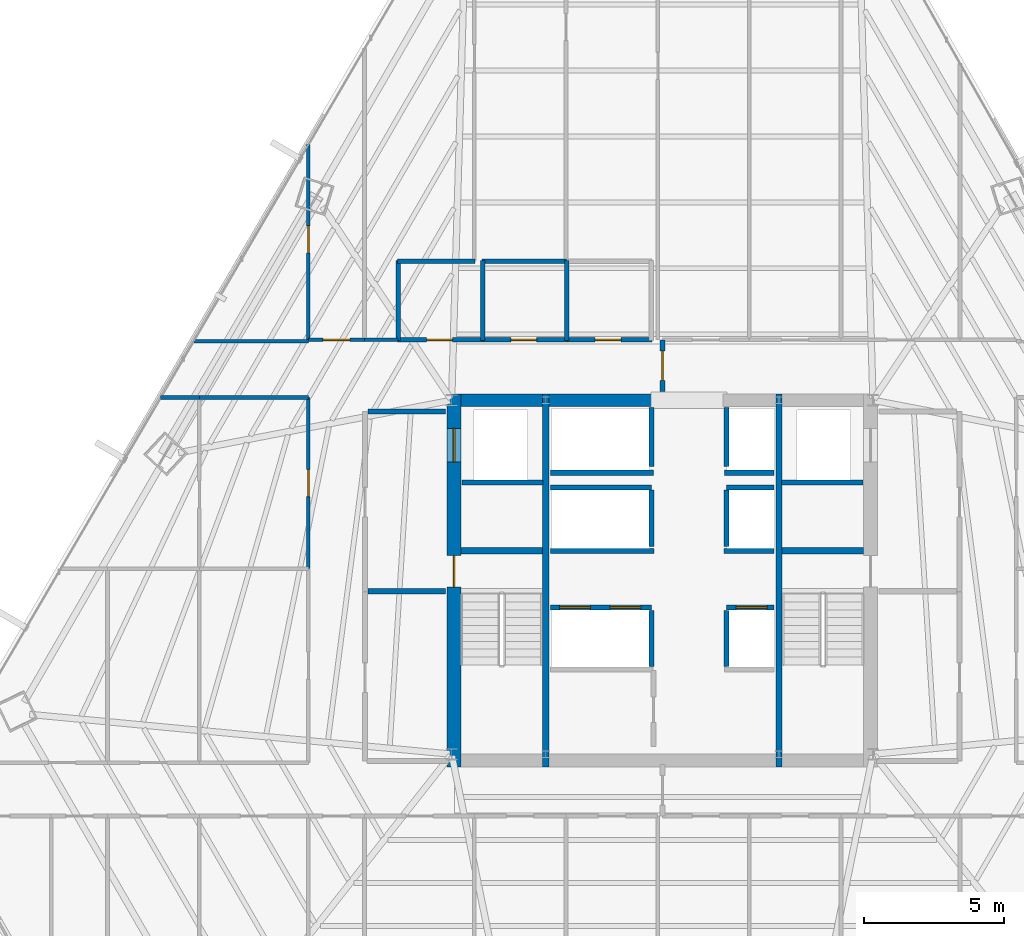
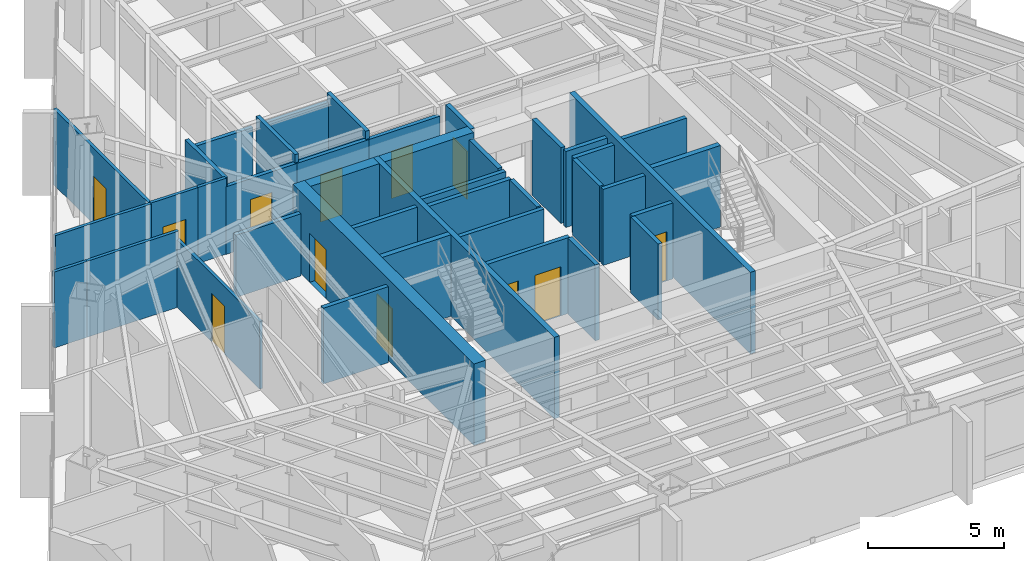
# One storey, part 32 of 37: 41 walls, 12 doors, 12 openings.
"""IFC4 building model written with IfcOpenShell, lengths in metres."""

from ifc_helpers import new_model, si_unit, direction, frame, frame_2d, origin, place, context, subcontext, project, spatial, rectangle, extrude, material, layer, layer_set, type_object, element, fill, save


model = new_model("IFC4")

# Units and contexts
model_context = context("Model", 3, precision=1e-05, world=origin(), true_north=direction((0.0, 1.0)))
body_context = subcontext(model_context, "Body", "Model", "MODEL_VIEW")
ifc_project = project(units=[si_unit("LENGTHUNIT", "METRE"), si_unit("AREAUNIT", "SQUARE_METRE"), si_unit("VOLUMEUNIT", "CUBIC_METRE"), si_unit("PLANEANGLEUNIT", "RADIAN"), si_unit("MASSUNIT", "GRAM", prefix="KILO")], contexts=[model_context])

# Site, building, storey
site_placement = place(None, origin())
site = spatial("IfcSite", under=ifc_project, at=site_placement, CompositionType="ELEMENT")
building_placement = place(site_placement, origin())
building = spatial("IfcBuilding", under=site, at=building_placement, Name="Caelisora Broadcast Tower", CompositionType="ELEMENT")
storey_placement = place(building_placement, frame((0.0, 0.0, 120.0)))
storey = spatial("IfcBuildingStorey", under=building, at=storey_placement, Name="L31", CompositionType="ELEMENT", Elevation=120.0)

# Wall, openings, doors
ifc_material_1 = material(Name="Concrete 50 MPa (AS 3600 S50)", Category="concrete")
ifc_layer_1 = layer(ifc_material_1, 0.5, Name="Concrete 50 MPa (AS 3600 S50)")
ifc_layer_set_1 = layer_set([ifc_layer_1], Name="Concrete 50 MPa (AS 3600 S50)")
wall_type_1 = type_object("IfcWallType", Name="CW2", PredefinedType="SHEAR", material=ifc_layer_set_1)
wall_1_placement = place(storey_placement, frame((30.590087890625, 16.949951171875, 0.0), z_axis=(0.0, 0.0, 1.0), x_axis=(0.0, 1.0, 0.0)))
wall_1 = element("IfcWall", 1, at=wall_1_placement, inside=storey, type_object=wall_type_1, Name="L31 core shear wall CW2", PredefinedType="SHEAR", context=body_context, shape_type="SweptSolid", body=[
    extrude(rectangle(XDim=13.275146484375, YDim=0.5, at=frame_2d((6.6376953125, 0.0))), origin(), (0.0, 0.0, 1.0), 3.64990234375),
])
opening_1_placement = place(wall_1_placement, frame((6.39990234375, 0.0, 0.0)))
opening_1 = element("IfcOpeningElement", 2, at=opening_1_placement, cuts=wall_1, Name="Opening FD04", PredefinedType="OPENING", context=body_context, shape_type="SweptSolid", body=[
    extrude(rectangle(XDim=1.1201171875, YDim=2.14990234375, at=frame_2d((0.56005859375, 1.074951171875))), frame((0.0, 0.261962890625, 0.0), z_axis=(0.0, -1.0, 0.0), x_axis=(1.0, 0.0, 0.0)), (0.0, 0.0, 1.0), 0.52392578125),
])
opening_2_placement = place(wall_1_placement, frame((10.85009765625, 0.0, 0.0)))
opening_2 = element("IfcOpeningElement", 3, at=opening_2_placement, cuts=wall_1, Name="Opening LD04", PredefinedType="OPENING", context=body_context, shape_type="SweptSolid", body=[
    extrude(rectangle(XDim=1.199951171875, YDim=2.199951171875, at=frame_2d((0.60009765625, 1.10009765625))), frame((0.0, 0.261962890625, 0.0), z_axis=(0.0, -1.0, 0.0), x_axis=(1.0, 0.0, 0.0)), (0.0, 0.0, 1.0), 0.52392578125),
])
ifc_material_2 = material(Name="Pressurised Fire-Isolated Stair Door", Category="steel")
door_type_1 = type_object("IfcDoorType", Name="FD04", OperationType="NOTDEFINED", PredefinedType="DOOR", material=ifc_material_2)
door_1_placement = place(opening_1_placement, origin())
door_1 = element("IfcDoor", 4, at=door_1_placement, inside=storey, type_object=door_type_1, Name="L31 door FD04 (L31-DR-ST1)", OperationType="SINGLE_SWING_LEFT", OverallHeight=2.14990234375, OverallWidth=1.1201171875, PredefinedType="DOOR", context=body_context, shape_type="SweptSolid", body=[
    extrude(rectangle(XDim=1.1201171875, YDim=2.14990234375, at=frame_2d((0.56005859375, 1.074951171875))), frame((0.0, 0.02490234375, 0.0), z_axis=(0.0, -1.0, 0.0), x_axis=(1.0, 0.0, 0.0)), (0.0, 0.0, 1.0), 0.050048828125),
])
fill(opening_1, door_1)
ifc_material_3 = material(Name="Emergency Firefighting Lift Sliding Landing Door", Category="steel")
door_type_2 = type_object("IfcDoorType", Name="LD04", OperationType="NOTDEFINED", PredefinedType="DOOR", material=ifc_material_3)
door_2_placement = place(opening_2_placement, origin())
door_2 = element("IfcDoor", 5, at=door_2_placement, inside=storey, type_object=door_type_2, Name="L31 door LD04 (L31-LD-FFL1)", OperationType="SLIDING_TO_LEFT", OverallHeight=2.199951171875, OverallWidth=1.199951171875, PredefinedType="DOOR", context=body_context, shape_type="SweptSolid", body=[
    extrude(rectangle(XDim=1.199951171875, YDim=2.199951171875, at=frame_2d((0.60009765625, 1.10009765625))), frame((0.0, 0.02490234375, 0.0), z_axis=(0.0, -1.0, 0.0), x_axis=(1.0, 0.0, 0.0)), (0.0, 0.0, 1.0), 0.050048828125),
])
fill(opening_2, door_2)

# Walls
ifc_layer_2 = layer(ifc_material_1, 0.449951171875, Name="Concrete 50 MPa (AS 3600 S50)")
ifc_layer_set_2 = layer_set([ifc_layer_2], Name="Concrete 50 MPa (AS 3600 S50)")
wall_type_2 = type_object("IfcWallType", Name="CW5", PredefinedType="SHEAR", material=ifc_layer_set_2)
wall_2_placement = place(storey_placement, frame((30.840087890625, 30.0, 0.0), z_axis=(0.0, 0.0, 1.0), x_axis=(1.0, 0.0, 0.0)))
element("IfcWall", 6, at=wall_2_placement, inside=storey, type_object=wall_type_2, Name="L31 core shear wall CW5", PredefinedType="SHEAR", context=body_context, shape_type="SweptSolid", body=[
    extrude(rectangle(XDim=2.89990234375, YDim=0.449951171875, at=frame_2d((1.449951171875, 0.0))), origin(), (0.0, 0.0, 1.0), 3.64990234375),
])
wall_3_placement = place(storey_placement, frame((33.9599609375, 30.0, 0.0), z_axis=(0.0, 0.0, 1.0), x_axis=(1.0, 0.0, 0.0)))
element("IfcWall", 7, at=wall_3_placement, inside=storey, type_object=wall_type_2, Name="L31 core shear wall CW5", PredefinedType="SHEAR", context=body_context, shape_type="SweptSolid", body=[
    extrude(rectangle(XDim=3.780029296875, YDim=0.449951171875, at=frame_2d((1.89013671875, 0.0))), origin(), (0.0, 0.0, 1.0), 3.64990234375),
])
ifc_layer_3 = layer(ifc_material_1, 0.219970703125, Name="Concrete 50 MPa (AS 3600 S50)")
ifc_layer_set_3 = layer_set([ifc_layer_3], Name="Concrete 50 MPa (AS 3600 S50)")
wall_type_3 = type_object("IfcWallType", Name="CW7", PredefinedType="SHEAR", material=ifc_layer_set_3)
for number, where, z_axis, x_axis, name in (
    (8, (33.85009765625, 16.949951171875, 0.0), (0.0, 0.0, 1.0), (0.0, 1.0, 0.0), "L31 core shear wall CW7"),
    (9, (42.14990234375, 16.949951171875, 0.0), (0.0, 0.0, 1.0), (0.0, 1.0, 0.0), "L31 core shear wall CW7"),
):
    element("IfcWall", number, at=place(storey_placement, frame(where, z_axis=z_axis, x_axis=x_axis)), inside=storey, type_object=wall_type_3, Name=name, PredefinedType="SHEAR", context=body_context, shape_type="SweptSolid", body=[
        extrude(rectangle(XDim=13.275146484375, YDim=0.219970703125, at=frame_2d((6.6376953125, 0.0))), origin(), (0.0, 0.0, 1.0), 3.64990234375),
    ])
for number, where, z_axis, x_axis, name in (
    (10, (30.840087890625, 24.639892578125, 0.0), (0.0, 0.0, 1.0), (1.0, 0.0, 0.0), "L31 core shear wall CW7"),
    (11, (42.260009765625, 24.639892578125, 0.0), (0.0, 0.0, 1.0), (1.0, 0.0, 0.0), "L31 core shear wall CW7"),
):
    element("IfcWall", number, at=place(storey_placement, frame(where, z_axis=z_axis, x_axis=x_axis)), inside=storey, type_object=wall_type_3, Name=name, PredefinedType="SHEAR", context=body_context, shape_type="SweptSolid", body=[
        extrude(rectangle(XDim=2.89990234375, YDim=0.219970703125, at=frame_2d((1.449951171875, 0.0))), origin(), (0.0, 0.0, 1.0), 3.64990234375),
    ])

# Wall, openings, doors
ifc_material_4 = material(Name="Fire-Rated Gypsum Shaft and Compartment Wall", Category="gypsum")
ifc_layer_4 = layer(ifc_material_4, 0.179931640625, Name="Fire-Rated Gypsum Shaft and Compartment Wall")
ifc_layer_set_4 = layer_set([ifc_layer_4], Name="Fire-Rated Gypsum Shaft and Compartment Wall")
wall_type_4 = type_object("IfcWallType", Name="PW2", PredefinedType="PARTITIONING", material=ifc_layer_set_4)
wall_4_placement = place(storey_placement, frame((34.02001953125, 22.6201171875, 0.0), z_axis=(0.0, 0.0, 1.0), x_axis=(1.0, 0.0, 0.0)))
wall_4 = element("IfcWall", 12, at=wall_4_placement, inside=storey, type_object=wall_type_4, Name="L31 fire compartment wall PW2", PredefinedType="PARTITIONING", context=body_context, shape_type="SweptSolid", body=[
    extrude(rectangle(XDim=3.60009765625, YDim=0.179931640625, at=frame_2d((1.800048828125, 0.0))), origin(), (0.0, 0.0, 1.0), 3.39990234375),
])
opening_3_placement = place(wall_4_placement, frame((0.320068359375, 0.0, 0.0)))
opening_3 = element("IfcOpeningElement", 13, at=opening_3_placement, cuts=wall_4, Name="Opening LD01", PredefinedType="OPENING", context=body_context, shape_type="SweptSolid", body=[
    extrude(rectangle(XDim=1.10009765625, YDim=2.199951171875, at=frame_2d((0.550048828125, 1.10009765625))), frame((0.0, 0.10205078125, 0.0), z_axis=(0.0, -1.0, 0.0), x_axis=(1.0, 0.0, 0.0)), (0.0, 0.0, 1.0), 0.203857421875),
])
opening_4_placement = place(wall_4_placement, frame((2.1201171875, 0.0, 0.0)))
opening_4 = element("IfcOpeningElement", 14, at=opening_4_placement, cuts=wall_4, Name="Opening LD01", PredefinedType="OPENING", context=body_context, shape_type="SweptSolid", body=[
    extrude(rectangle(XDim=1.10009765625, YDim=2.199951171875, at=frame_2d((0.550048828125, 1.10009765625))), frame((0.0, 0.10205078125, 0.0), z_axis=(0.0, -1.0, 0.0), x_axis=(1.0, 0.0, 0.0)), (0.0, 0.0, 1.0), 0.203857421875),
])
ifc_material_5 = material(Name="Stainless Steel Centre-Parting Lift Landing Door", Category="steel")
door_type_3 = type_object("IfcDoorType", Name="LD01", OperationType="NOTDEFINED", PredefinedType="DOOR", material=ifc_material_5)
door_3_placement = place(opening_3_placement, origin())
door_3 = element("IfcDoor", 15, at=door_3_placement, inside=storey, type_object=door_type_3, Name="L31 door LD01 (L31-LD-PLL1)", OperationType="SLIDING_TO_LEFT", OverallHeight=2.199951171875, OverallWidth=1.10009765625, PredefinedType="DOOR", context=body_context, shape_type="SweptSolid", body=[
    extrude(rectangle(XDim=1.10009765625, YDim=2.199951171875, at=frame_2d((0.550048828125, 1.10009765625))), frame((0.0, 0.02490234375, 0.0), z_axis=(0.0, -1.0, 0.0), x_axis=(1.0, 0.0, 0.0)), (0.0, 0.0, 1.0), 0.050048828125),
])
fill(opening_3, door_3)
door_4_placement = place(opening_4_placement, origin())
door_4 = element("IfcDoor", 16, at=door_4_placement, inside=storey, type_object=door_type_3, Name="L31 door LD01 (L31-LD-PLL2)", OperationType="SLIDING_TO_RIGHT", OverallHeight=2.199951171875, OverallWidth=1.10009765625, PredefinedType="DOOR", context=body_context, shape_type="SweptSolid", body=[
    extrude(rectangle(XDim=1.10009765625, YDim=2.199951171875, at=frame_2d((0.550048828125, 1.10009765625))), frame((0.0, 0.02490234375, 0.0), z_axis=(0.0, -1.0, 0.0), x_axis=(1.0, 0.0, 0.0)), (0.0, 0.0, 1.0), 0.050048828125),
])
fill(opening_4, door_4)

# Wall, opening, door
wall_5_placement = place(storey_placement, frame((40.280029296875, 22.6201171875, 0.0), z_axis=(0.0, 0.0, 1.0), x_axis=(1.0, 0.0, 0.0)))
wall_5 = element("IfcWall", 17, at=wall_5_placement, inside=storey, type_object=wall_type_4, Name="L31 fire compartment wall PW2", PredefinedType="PARTITIONING", context=body_context, shape_type="SweptSolid", body=[
    extrude(rectangle(XDim=1.699951171875, YDim=0.179931640625, at=frame_2d((0.85009765625, 0.0))), origin(), (0.0, 0.0, 1.0), 3.39990234375),
])
opening_5_placement = place(wall_5_placement, frame((0.35009765625, 0.0, 0.0)))
opening_5 = element("IfcOpeningElement", 18, at=opening_5_placement, cuts=wall_5, Name="Opening LD01", PredefinedType="OPENING", context=body_context, shape_type="SweptSolid", body=[
    extrude(rectangle(XDim=1.10009765625, YDim=2.199951171875, at=frame_2d((0.550048828125, 1.10009765625))), frame((0.0, 0.10205078125, 0.0), z_axis=(0.0, -1.0, 0.0), x_axis=(1.0, 0.0, 0.0)), (0.0, 0.0, 1.0), 0.203857421875),
])
door_5_placement = place(opening_5_placement, origin())
door_5 = element("IfcDoor", 19, at=door_5_placement, inside=storey, type_object=door_type_3, Name="L31 door LD01 (L31-LD-PLL3)", OperationType="SLIDING_TO_LEFT", OverallHeight=2.199951171875, OverallWidth=1.10009765625, PredefinedType="DOOR", context=body_context, shape_type="SweptSolid", body=[
    extrude(rectangle(XDim=1.10009765625, YDim=2.199951171875, at=frame_2d((0.550048828125, 1.10009765625))), frame((0.0, 0.02490234375, 0.0), z_axis=(0.0, -1.0, 0.0), x_axis=(1.0, 0.0, 0.0)), (0.0, 0.0, 1.0), 0.050048828125),
])
fill(opening_5, door_5)

# Walls
for number, where, z_axis, x_axis, name in (
    (20, (37.6201171875, 20.52001953125, 0.0), (0.0, 0.0, 1.0), (0.0, 1.0, 0.0), "L31 fire compartment wall PW2"),
    (21, (40.280029296875, 20.52001953125, 0.0), (0.0, 0.0, 1.0), (0.0, 1.0, 0.0), "L31 fire compartment wall PW2"),
):
    element("IfcWall", number, at=place(storey_placement, frame(where, z_axis=z_axis, x_axis=x_axis)), inside=storey, type_object=wall_type_4, Name=name, PredefinedType="PARTITIONING", context=body_context, shape_type="SweptSolid", body=[
        extrude(rectangle(XDim=2.0, YDim=0.179931640625, at=frame_2d((1.0, 0.0))), origin(), (0.0, 0.0, 1.0), 3.39990234375),
    ])
wall_6_placement = place(storey_placement, frame((34.02001953125, 26.89990234375, 0.0), z_axis=(0.0, 0.0, 1.0), x_axis=(1.0, 0.0, 0.0)))
element("IfcWall", 22, at=wall_6_placement, inside=storey, type_object=wall_type_4, Name="L31 fire compartment wall PW2", PredefinedType="PARTITIONING", context=body_context, shape_type="SweptSolid", body=[
    extrude(rectangle(XDim=3.60009765625, YDim=0.179931640625, at=frame_2d((1.800048828125, 0.0))), origin(), (0.0, 0.0, 1.0), 3.39990234375),
])
wall_7_placement = place(storey_placement, frame((40.280029296875, 26.89990234375, 0.0), z_axis=(0.0, 0.0, 1.0), x_axis=(1.0, 0.0, 0.0)))
element("IfcWall", 23, at=wall_7_placement, inside=storey, type_object=wall_type_4, Name="L31 fire compartment wall PW2", PredefinedType="PARTITIONING", context=body_context, shape_type="SweptSolid", body=[
    extrude(rectangle(XDim=1.699951171875, YDim=0.179931640625, at=frame_2d((0.85009765625, 0.0))), origin(), (0.0, 0.0, 1.0), 3.39990234375),
])
for number, where, z_axis, x_axis, name in (
    (24, (37.6201171875, 24.800048828125, 0.0), (0.0, 0.0, 1.0), (0.0, 1.0, 0.0), "L31 fire compartment wall PW2"),
    (25, (40.280029296875, 24.800048828125, 0.0), (0.0, 0.0, 1.0), (0.0, 1.0, 0.0), "L31 fire compartment wall PW2"),
):
    element("IfcWall", number, at=place(storey_placement, frame(where, z_axis=z_axis, x_axis=x_axis)), inside=storey, type_object=wall_type_4, Name=name, PredefinedType="PARTITIONING", context=body_context, shape_type="SweptSolid", body=[
        extrude(rectangle(XDim=2.0, YDim=0.179931640625, at=frame_2d((1.0, 0.0))), origin(), (0.0, 0.0, 1.0), 3.39990234375),
    ])
wall_8_placement = place(storey_placement, frame((34.02001953125, 24.639892578125, 0.0), z_axis=(0.0, 0.0, 1.0), x_axis=(1.0, 0.0, 0.0)))
element("IfcWall", 26, at=wall_8_placement, inside=storey, type_object=wall_type_4, Name="L31 fire compartment wall PW2", PredefinedType="PARTITIONING", context=body_context, shape_type="SweptSolid", body=[
    extrude(rectangle(XDim=3.679931640625, YDim=0.179931640625, at=frame_2d((1.83984375, 0.0))), origin(), (0.0, 0.0, 1.0), 3.39990234375),
])
wall_9_placement = place(storey_placement, frame((40.199951171875, 24.639892578125, 0.0), z_axis=(0.0, 0.0, 1.0), x_axis=(1.0, 0.0, 0.0)))
element("IfcWall", 27, at=wall_9_placement, inside=storey, type_object=wall_type_4, Name="L31 fire compartment wall PW2", PredefinedType="PARTITIONING", context=body_context, shape_type="SweptSolid", body=[
    extrude(rectangle(XDim=1.780029296875, YDim=0.179931640625, at=frame_2d((0.89013671875, 0.0))), origin(), (0.0, 0.0, 1.0), 3.39990234375),
])
wall_10_placement = place(storey_placement, frame((34.02001953125, 27.419921875, 0.0), z_axis=(0.0, 0.0, 1.0), x_axis=(1.0, 0.0, 0.0)))
element("IfcWall", 28, at=wall_10_placement, inside=storey, type_object=wall_type_4, Name="L31 fire compartment wall PW2", PredefinedType="PARTITIONING", context=body_context, shape_type="SweptSolid", body=[
    extrude(rectangle(XDim=3.659912109375, YDim=0.179931640625, at=frame_2d((1.830078125, 0.0))), origin(), (0.0, 0.0, 1.0), 3.39990234375),
])
wall_11_placement = place(storey_placement, frame((40.219970703125, 27.419921875, 0.0), z_axis=(0.0, 0.0, 1.0), x_axis=(1.0, 0.0, 0.0)))
element("IfcWall", 29, at=wall_11_placement, inside=storey, type_object=wall_type_4, Name="L31 fire compartment wall PW2", PredefinedType="PARTITIONING", context=body_context, shape_type="SweptSolid", body=[
    extrude(rectangle(XDim=1.760009765625, YDim=0.179931640625, at=frame_2d((0.8798828125, 0.0))), origin(), (0.0, 0.0, 1.0), 3.39990234375),
])
for number, where, z_axis, x_axis, name in (
    (30, (37.6201171875, 27.639892578125, 0.0), (0.0, 0.0, 1.0), (0.0, 1.0, 0.0), "L31 fire compartment wall PW2"),
    (31, (40.280029296875, 27.639892578125, 0.0), (0.0, 0.0, 1.0), (0.0, 1.0, 0.0), "L31 fire compartment wall PW2"),
):
    element("IfcWall", number, at=place(storey_placement, frame(where, z_axis=z_axis, x_axis=x_axis)), inside=storey, type_object=wall_type_4, Name=name, PredefinedType="PARTITIONING", context=body_context, shape_type="SweptSolid", body=[
        extrude(rectangle(XDim=2.110107421875, YDim=0.179931640625, at=frame_2d((1.05517578125, 0.0))), origin(), (0.0, 0.0, 1.0), 3.39990234375),
    ])
wall_12_placement = place(storey_placement, frame((27.52001953125, 23.199951171875, 0.0), z_axis=(0.0, 0.0, 1.0), x_axis=(1.0, 0.0, 0.0)))
element("IfcWall", 32, at=wall_12_placement, inside=storey, type_object=wall_type_4, Name="L31 fire compartment wall PW2", PredefinedType="PARTITIONING", context=body_context, shape_type="SweptSolid", body=[
    extrude(rectangle(XDim=2.760009765625, YDim=0.179931640625, at=frame_2d((1.3798828125, 0.0))), origin(), (0.0, 0.0, 1.0), 3.39990234375),
])
wall_13_placement = place(storey_placement, frame((27.52001953125, 29.60009765625, 0.0), z_axis=(0.0, 0.0, 1.0), x_axis=(1.0, 0.0, 0.0)))
element("IfcWall", 33, at=wall_13_placement, inside=storey, type_object=wall_type_4, Name="L31 fire compartment wall PW2", PredefinedType="PARTITIONING", context=body_context, shape_type="SweptSolid", body=[
    extrude(rectangle(XDim=2.760009765625, YDim=0.179931640625, at=frame_2d((1.3798828125, 0.0))), origin(), (0.0, 0.0, 1.0), 2.78271484375),
])
for number, where, z_axis, x_axis, name in (
    (34, (30.860107421875, 27.070068359375, 0.0), (0.0, 0.0, 1.0), (1.0, 0.0, 0.0), "L31 fire compartment wall PW2"),
    (35, (42.239990234375, 27.070068359375, 0.0), (0.0, 0.0, 1.0), (1.0, 0.0, 0.0), "L31 fire compartment wall PW2"),
):
    element("IfcWall", number, at=place(storey_placement, frame(where, z_axis=z_axis, x_axis=x_axis)), inside=storey, type_object=wall_type_4, Name=name, PredefinedType="PARTITIONING", context=body_context, shape_type="SweptSolid", body=[
        extrude(rectangle(XDim=2.89990234375, YDim=0.179931640625, at=frame_2d((1.449951171875, 0.0))), origin(), (0.0, 0.0, 1.0), 3.39990234375),
    ])

# Wall, opening, door
wall_14_placement = place(storey_placement, frame((38.0, 30.320068359375, 0.0), z_axis=(0.0, 0.0, 1.0), x_axis=(0.0, 1.0, 0.0)))
wall_14 = element("IfcWall", 36, at=wall_14_placement, inside=storey, type_object=wall_type_4, Name="L31 fire compartment wall PW2", PredefinedType="PARTITIONING", context=body_context, shape_type="SweptSolid", body=[
    extrude(rectangle(XDim=1.824951171875, YDim=0.179931640625, at=frame_2d((0.91259765625, 0.0))), origin(), (0.0, 0.0, 1.0), 3.39990234375),
])
opening_6_placement = place(wall_14_placement, frame((0.387939453125, 0.0, 0.0)))
opening_6 = element("IfcOpeningElement", 37, at=opening_6_placement, cuts=wall_14, Name="Opening FD02", PredefinedType="OPENING", context=body_context, shape_type="SweptSolid", body=[
    extrude(rectangle(XDim=1.050048828125, YDim=2.14990234375, at=frame_2d((0.52490234375, 1.074951171875))), frame((0.0, 0.10205078125, 0.0), z_axis=(0.0, -1.0, 0.0), x_axis=(1.0, 0.0, 0.0)), (0.0, 0.0, 1.0), 0.203857421875),
])
ifc_material_6 = material(Name="Single-Leaf Steel Fire Lobby Door", Category="steel")
door_type_4 = type_object("IfcDoorType", Name="FD02", OperationType="NOTDEFINED", PredefinedType="DOOR", material=ifc_material_6)
door_6_placement = place(opening_6_placement, origin())
door_6 = element("IfcDoor", 38, at=door_6_placement, inside=storey, type_object=door_type_4, Name="L31 door FD02 (L31-DR-P93D1)", OperationType="SINGLE_SWING_LEFT", OverallHeight=2.14990234375, OverallWidth=1.050048828125, PredefinedType="DOOR", context=body_context, shape_type="SweptSolid", body=[
    extrude(rectangle(XDim=1.050048828125, YDim=2.14990234375, at=frame_2d((0.52490234375, 1.074951171875))), frame((0.0, 0.02490234375, 0.0), z_axis=(0.0, -1.0, 0.0), x_axis=(1.0, 0.0, 0.0)), (0.0, 0.0, 1.0), 0.050048828125),
])
fill(opening_6, door_6)

ifc_material_7 = material(Name="Acoustic Steel-Stud Plasterboard Partition", Category="gypsum")
ifc_layer_5 = layer(ifc_material_7, 0.1298828125, Name="Acoustic Steel-Stud Plasterboard Partition")
ifc_layer_set_5 = layer_set([ifc_layer_5], Name="Acoustic Steel-Stud Plasterboard Partition")
wall_type_5 = type_object("IfcWallType", Name="PW3", PredefinedType="PARTITIONING", material=ifc_layer_set_5)
wall_15_placement = place(storey_placement, frame((25.39990234375, 32.155029296875, 0.0), z_axis=(0.0, 0.0, 1.0), x_axis=(0.0, 1.0, 0.0)))
wall_15 = element("IfcWall", 39, at=wall_15_placement, inside=storey, type_object=wall_type_5, Name="L31 internal partition PW3", PredefinedType="PARTITIONING", context=body_context, shape_type="SweptSolid", body=[
    extrude(rectangle(XDim=6.95166015625, YDim=0.1298828125, at=frame_2d((3.475830078125, 0.0))), origin(), (0.0, 0.0, 1.0), 3.39990234375),
])
opening_7_placement = place(wall_15_placement, frame((3.092041015625, 0.0, 0.0)))
opening_7 = element("IfcOpeningElement", 40, at=opening_7_placement, cuts=wall_15, Name="Opening D01", PredefinedType="OPENING", context=body_context, shape_type="SweptSolid", body=[
    extrude(rectangle(XDim=0.9599609375, YDim=2.14990234375, at=frame_2d((0.47998046875, 1.074951171875))), frame((0.0, 0.076904296875, 0.0), z_axis=(0.0, -1.0, 0.0), x_axis=(1.0, 0.0, 0.0)), (0.0, 0.0, 1.0), 0.15380859375),
])
ifc_material_8 = material(Name="Solid-Core Timber Acoustic Office Door", Category="wood")
door_type_5 = type_object("IfcDoorType", Name="D01", OperationType="NOTDEFINED", PredefinedType="DOOR", material=ifc_material_8)
door_7_placement = place(opening_7_placement, origin())
door_7 = element("IfcDoor", 41, at=door_7_placement, inside=storey, type_object=door_type_5, Name="L31 door D01 (L31-DR-P47D1)", OperationType="SINGLE_SWING_RIGHT", OverallHeight=2.14990234375, OverallWidth=0.9599609375, PredefinedType="DOOR", context=body_context, shape_type="SweptSolid", body=[
    extrude(rectangle(XDim=0.9599609375, YDim=2.14990234375, at=frame_2d((0.47998046875, 1.074951171875))), frame((0.0, 0.02490234375, 0.0), z_axis=(0.0, -1.0, 0.0), x_axis=(1.0, 0.0, 0.0)), (0.0, 0.0, 1.0), 0.050048828125),
])
fill(opening_7, door_7)

wall_16_placement = place(storey_placement, frame((25.39990234375, 24.0048828125, 0.0), z_axis=(0.0, 0.0, 1.0), x_axis=(0.0, 1.0, 0.0)))
wall_16 = element("IfcWall", 42, at=wall_16_placement, inside=storey, type_object=wall_type_5, Name="L31 internal partition PW3", PredefinedType="PARTITIONING", context=body_context, shape_type="SweptSolid", body=[
    extrude(rectangle(XDim=6.090087890625, YDim=0.1298828125, at=frame_2d((3.044921875, 0.0))), origin(), (0.0, 0.0, 1.0), 3.0263671875),
])
opening_8_placement = place(wall_16_placement, frame((2.56494140625, 0.0, 0.0)))
opening_8 = element("IfcOpeningElement", 43, at=opening_8_placement, cuts=wall_16, Name="Opening D01", PredefinedType="OPENING", context=body_context, shape_type="SweptSolid", body=[
    extrude(rectangle(XDim=0.9599609375, YDim=2.14990234375, at=frame_2d((0.47998046875, 1.074951171875))), frame((0.0, 0.076904296875, 0.0), z_axis=(0.0, -1.0, 0.0), x_axis=(1.0, 0.0, 0.0)), (0.0, 0.0, 1.0), 0.15380859375),
])
door_8_placement = place(opening_8_placement, origin())
door_8 = element("IfcDoor", 44, at=door_8_placement, inside=storey, type_object=door_type_5, Name="L31 door D01 (L31-DR-P55D1)", OperationType="SINGLE_SWING_RIGHT", OverallHeight=2.14990234375, OverallWidth=0.9599609375, PredefinedType="DOOR", context=body_context, shape_type="SweptSolid", body=[
    extrude(rectangle(XDim=0.9599609375, YDim=2.14990234375, at=frame_2d((0.47998046875, 1.074951171875))), frame((0.0, 0.02490234375, 0.0), z_axis=(0.0, -1.0, 0.0), x_axis=(1.0, 0.0, 0.0)), (0.0, 0.0, 1.0), 0.050048828125),
])
fill(opening_8, door_8)

# Walls
wall_17_placement = place(storey_placement, frame((25.39501953125, 30.10009765625, 0.0), z_axis=(0.0, 0.0, 1.0), x_axis=(-1.0, 0.0, 0.0)))
element("IfcWall", 45, at=wall_17_placement, inside=storey, type_object=wall_type_5, Name="L31 internal partition PW3", PredefinedType="PARTITIONING", context=body_context, shape_type="SweptSolid", body=[
    extrude(rectangle(XDim=3.8701171875, YDim=0.1298828125, at=frame_2d((1.93505859375, 0.0))), origin(), (0.0, 0.0, 1.0), 3.39990234375),
])
wall_18_placement = place(storey_placement, frame((21.331787109375, 32.10009765625, 0.0), z_axis=(0.0, 0.0, 1.0), x_axis=(1.0, 0.0, 0.0)))
element("IfcWall", 46, at=wall_18_placement, inside=storey, type_object=wall_type_5, Name="L31 internal partition PW3", PredefinedType="PARTITIONING", context=body_context, shape_type="SweptSolid", body=[
    extrude(rectangle(XDim=4.063232421875, YDim=0.1298828125, at=frame_2d((2.03173828125, 0.0))), origin(), (0.0, 0.0, 1.0), 3.39990234375),
])

# Wall, opening, door
wall_19_placement = place(storey_placement, frame((25.405029296875, 32.14990234375, 0.0), z_axis=(0.0, 0.0, 1.0), x_axis=(1.0, 0.0, 0.0)))
wall_19 = element("IfcWall", 47, at=wall_19_placement, inside=storey, type_object=wall_type_5, Name="L31 internal partition PW3", PredefinedType="PARTITIONING", context=body_context, shape_type="SweptSolid", body=[
    extrude(rectangle(XDim=1.989990234375, YDim=0.1298828125, at=frame_2d((0.9951171875, 0.0))), origin(), (0.0, 0.0, 1.0), 3.39990234375),
])
opening_9_placement = place(wall_19_placement, frame((0.514892578125, 0.0, 0.0)))
opening_9 = element("IfcOpeningElement", 48, at=opening_9_placement, cuts=wall_19, Name="Opening D01", PredefinedType="OPENING", context=body_context, shape_type="SweptSolid", body=[
    extrude(rectangle(XDim=0.9599609375, YDim=2.14990234375, at=frame_2d((0.47998046875, 1.074951171875))), frame((0.0, 0.076904296875, 0.0), z_axis=(0.0, -1.0, 0.0), x_axis=(1.0, 0.0, 0.0)), (0.0, 0.0, 1.0), 0.15380859375),
])
door_9_placement = place(opening_9_placement, origin())
door_9 = element("IfcDoor", 49, at=door_9_placement, inside=storey, type_object=door_type_5, Name="L31 door D01 (L31-DR-P89D1)", OperationType="SINGLE_SWING_RIGHT", OverallHeight=2.14990234375, OverallWidth=0.9599609375, PredefinedType="DOOR", context=body_context, shape_type="SweptSolid", body=[
    extrude(rectangle(XDim=0.9599609375, YDim=2.14990234375, at=frame_2d((0.47998046875, 1.074951171875))), frame((0.0, 0.02490234375, 0.0), z_axis=(0.0, -1.0, 0.0), x_axis=(1.0, 0.0, 0.0)), (0.0, 0.0, 1.0), 0.050048828125),
])
fill(opening_9, door_9)

# Walls
wall_20_placement = place(storey_placement, frame((20.137451171875, 30.10009765625, 0.0), z_axis=(0.0, 0.0, 1.0), x_axis=(1.0, 0.0, 0.0)))
element("IfcWall", 50, at=wall_20_placement, inside=storey, type_object=wall_type_5, Name="L31 internal partition PW3", PredefinedType="PARTITIONING", context=body_context, shape_type="SweptSolid", body=[
    extrude(rectangle(XDim=1.37744140625, YDim=0.1298828125, at=frame_2d((0.688720703125, 0.0))), origin(), (0.0, 0.0, 1.0), 3.39990234375),
])
wall_21_placement = place(storey_placement, frame((27.405029296875, 32.14990234375, 0.0), z_axis=(0.0, 0.0, 1.0), x_axis=(1.0, 0.0, 0.0)))
element("IfcWall", 51, at=wall_21_placement, inside=storey, type_object=wall_type_5, Name="L31 internal partition PW3", PredefinedType="PARTITIONING", context=body_context, shape_type="SweptSolid", body=[
    extrude(rectangle(XDim=1.18994140625, YDim=0.1298828125, at=frame_2d((0.594970703125, 0.0))), origin(), (0.0, 0.0, 1.0), 3.39990234375),
])

# Wall, opening, door
ifc_material_9 = material(Name="Moisture-Resistant Wet Plumbing Service Wall", Category="gypsum")
ifc_layer_6 = layer(ifc_material_9, 0.159912109375, Name="Moisture-Resistant Wet Plumbing Service Wall")
ifc_layer_set_6 = layer_set([ifc_layer_6], Name="Moisture-Resistant Wet Plumbing Service Wall")
wall_type_6 = type_object("IfcWallType", Name="PW4", PredefinedType="PLUMBINGWALL", material=ifc_layer_set_6)
wall_22_placement = place(storey_placement, frame((28.574951171875, 32.14990234375, 0.0), z_axis=(0.0, 0.0, 1.0), x_axis=(1.0, 0.0, 0.0)))
wall_22 = element("IfcWall", 52, at=wall_22_placement, inside=storey, type_object=wall_type_6, Name="L31 wet plumbing wall PW4", PredefinedType="PLUMBINGWALL", context=body_context, shape_type="SweptSolid", body=[
    extrude(rectangle(XDim=3.050048828125, YDim=0.159912109375, at=frame_2d((1.52490234375, 0.0))), origin(), (0.0, 0.0, 1.0), 3.0263671875),
])
opening_10_placement = place(wall_22_placement, frame((1.034912109375, 0.0, 0.0)))
opening_10 = element("IfcOpeningElement", 53, at=opening_10_placement, cuts=wall_22, Name="Opening D03", PredefinedType="OPENING", context=body_context, shape_type="SweptSolid", body=[
    extrude(rectangle(XDim=0.919921875, YDim=2.10009765625, at=frame_2d((0.4599609375, 1.050048828125))), frame((0.0, 0.092041015625, 0.0), z_axis=(0.0, -1.0, 0.0), x_axis=(1.0, 0.0, 0.0)), (0.0, 0.0, 1.0), 0.183837890625),
])
ifc_material_10 = material(Name="Laminate Moisture-Resistant Amenity WC Door", Category="wood")
door_type_6 = type_object("IfcDoorType", Name="D03", OperationType="NOTDEFINED", PredefinedType="DOOR", material=ifc_material_10)
door_10_placement = place(opening_10_placement, origin())
door_10 = element("IfcDoor", 54, at=door_10_placement, inside=storey, type_object=door_type_6, Name="L31 door D03 (L31-DR-P16D1)", OperationType="SINGLE_SWING_RIGHT", OverallHeight=2.10009765625, OverallWidth=0.919921875, PredefinedType="DOOR", context=body_context, shape_type="SweptSolid", body=[
    extrude(rectangle(XDim=0.919921875, YDim=2.10009765625, at=frame_2d((0.4599609375, 1.050048828125))), frame((0.0, 0.02490234375, 0.0), z_axis=(0.0, -1.0, 0.0), x_axis=(1.0, 0.0, 0.0)), (0.0, 0.0, 1.0), 0.050048828125),
])
fill(opening_10, door_10)

wall_23_placement = place(storey_placement, frame((31.574951171875, 32.14990234375, 0.0), z_axis=(0.0, 0.0, 1.0), x_axis=(1.0, 0.0, 0.0)))
wall_23 = element("IfcWall", 55, at=wall_23_placement, inside=storey, type_object=wall_type_6, Name="L31 wet plumbing wall PW4", PredefinedType="PLUMBINGWALL", context=body_context, shape_type="SweptSolid", body=[
    extrude(rectangle(XDim=3.050048828125, YDim=0.159912109375, at=frame_2d((1.52490234375, 0.0))), origin(), (0.0, 0.0, 1.0), 3.0263671875),
])
opening_11_placement = place(wall_23_placement, frame((1.034912109375, 0.0, 0.0)))
opening_11 = element("IfcOpeningElement", 56, at=opening_11_placement, cuts=wall_23, Name="Opening D03", PredefinedType="OPENING", context=body_context, shape_type="SweptSolid", body=[
    extrude(rectangle(XDim=0.919921875, YDim=2.10009765625, at=frame_2d((0.4599609375, 1.050048828125))), frame((0.0, 0.092041015625, 0.0), z_axis=(0.0, -1.0, 0.0), x_axis=(1.0, 0.0, 0.0)), (0.0, 0.0, 1.0), 0.183837890625),
])
door_11_placement = place(opening_11_placement, origin())
door_11 = element("IfcDoor", 57, at=door_11_placement, inside=storey, type_object=door_type_6, Name="L31 door D03 (L31-DR-P17D1)", OperationType="SINGLE_SWING_LEFT", OverallHeight=2.10009765625, OverallWidth=0.919921875, PredefinedType="DOOR", context=body_context, shape_type="SweptSolid", body=[
    extrude(rectangle(XDim=0.919921875, YDim=2.10009765625, at=frame_2d((0.4599609375, 1.050048828125))), frame((0.0, 0.02490234375, 0.0), z_axis=(0.0, -1.0, 0.0), x_axis=(1.0, 0.0, 0.0)), (0.0, 0.0, 1.0), 0.050048828125),
])
fill(opening_11, door_11)

wall_24_placement = place(storey_placement, frame((34.574951171875, 32.14990234375, 0.0), z_axis=(0.0, 0.0, 1.0), x_axis=(1.0, 0.0, 0.0)))
wall_24 = element("IfcWall", 58, at=wall_24_placement, inside=storey, type_object=wall_type_6, Name="L31 wet plumbing wall PW4", PredefinedType="PLUMBINGWALL", context=body_context, shape_type="SweptSolid", body=[
    extrude(rectangle(XDim=3.050048828125, YDim=0.159912109375, at=frame_2d((1.52490234375, 0.0))), origin(), (0.0, 0.0, 1.0), 3.0263671875),
])
opening_12_placement = place(wall_24_placement, frame((1.034912109375, 0.0, 0.0)))
opening_12 = element("IfcOpeningElement", 59, at=opening_12_placement, cuts=wall_24, Name="Opening D03", PredefinedType="OPENING", context=body_context, shape_type="SweptSolid", body=[
    extrude(rectangle(XDim=0.919921875, YDim=2.10009765625, at=frame_2d((0.4599609375, 1.050048828125))), frame((0.0, 0.092041015625, 0.0), z_axis=(0.0, -1.0, 0.0), x_axis=(1.0, 0.0, 0.0)), (0.0, 0.0, 1.0), 0.183837890625),
])
door_12_placement = place(opening_12_placement, origin())
door_12 = element("IfcDoor", 60, at=door_12_placement, inside=storey, type_object=door_type_6, Name="L31 door D03 (L31-DR-P18D1)", OperationType="SINGLE_SWING_RIGHT", OverallHeight=2.10009765625, OverallWidth=0.919921875, PredefinedType="DOOR", context=body_context, shape_type="SweptSolid", body=[
    extrude(rectangle(XDim=0.919921875, YDim=2.10009765625, at=frame_2d((0.4599609375, 1.050048828125))), frame((0.0, 0.02490234375, 0.0), z_axis=(0.0, -1.0, 0.0), x_axis=(1.0, 0.0, 0.0)), (0.0, 0.0, 1.0), 0.050048828125),
])
fill(opening_12, door_12)

# Walls
wall_25_placement = place(storey_placement, frame((31.574951171875, 34.949951171875, 0.0), z_axis=(0.0, 0.0, 1.0), x_axis=(1.0, 0.0, 0.0)))
element("IfcWall", 61, at=wall_25_placement, inside=storey, type_object=wall_type_6, Name="L31 wet plumbing wall PW4", PredefinedType="PLUMBINGWALL", context=body_context, shape_type="SweptSolid", body=[
    extrude(rectangle(XDim=3.02001953125, YDim=0.159912109375, at=frame_2d((1.510009765625, 0.0))), origin(), (0.0, 0.0, 1.0), 3.0263671875),
])
for number, where, z_axis, x_axis, name in (
    (62, (31.60009765625, 32.125, 0.0), (0.0, 0.0, 1.0), (0.0, 1.0, 0.0), "L31 wet plumbing wall PW4"),
    (63, (28.60009765625, 32.125, 0.0), (0.0, 0.0, 1.0), (0.0, 1.0, 0.0), "L31 wet plumbing wall PW4"),
    (64, (34.60009765625, 32.125, 0.0), (0.0, 0.0, 1.0), (0.0, 1.0, 0.0), "L31 wet plumbing wall PW4"),
):
    element("IfcWall", number, at=place(storey_placement, frame(where, z_axis=z_axis, x_axis=x_axis)), inside=storey, type_object=wall_type_6, Name=name, PredefinedType="PLUMBINGWALL", context=body_context, shape_type="SweptSolid", body=[
        extrude(rectangle(XDim=2.85009765625, YDim=0.159912109375, at=frame_2d((1.425048828125, 0.0))), origin(), (0.0, 0.0, 1.0), 3.39990234375),
    ])
wall_26_placement = place(storey_placement, frame((28.574951171875, 34.949951171875, 0.0), z_axis=(0.0, 0.0, 1.0), x_axis=(1.0, 0.0, 0.0)))
element("IfcWall", 65, at=wall_26_placement, inside=storey, type_object=wall_type_6, Name="L31 wet plumbing wall PW4", PredefinedType="PLUMBINGWALL", context=body_context, shape_type="SweptSolid", body=[
    extrude(rectangle(XDim=2.760009765625, YDim=0.159912109375, at=frame_2d((1.3798828125, 0.0))), origin(), (0.0, 0.0, 1.0), 3.0263671875),
])

save(model, "model.ifc")
